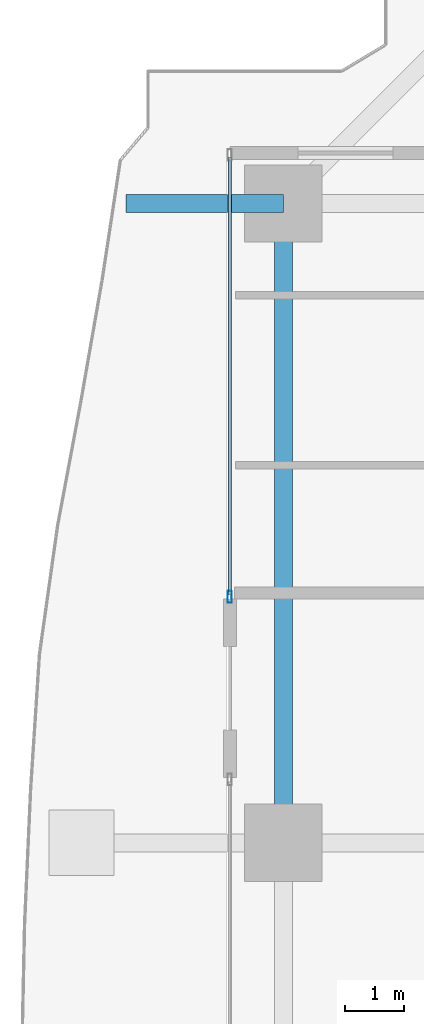
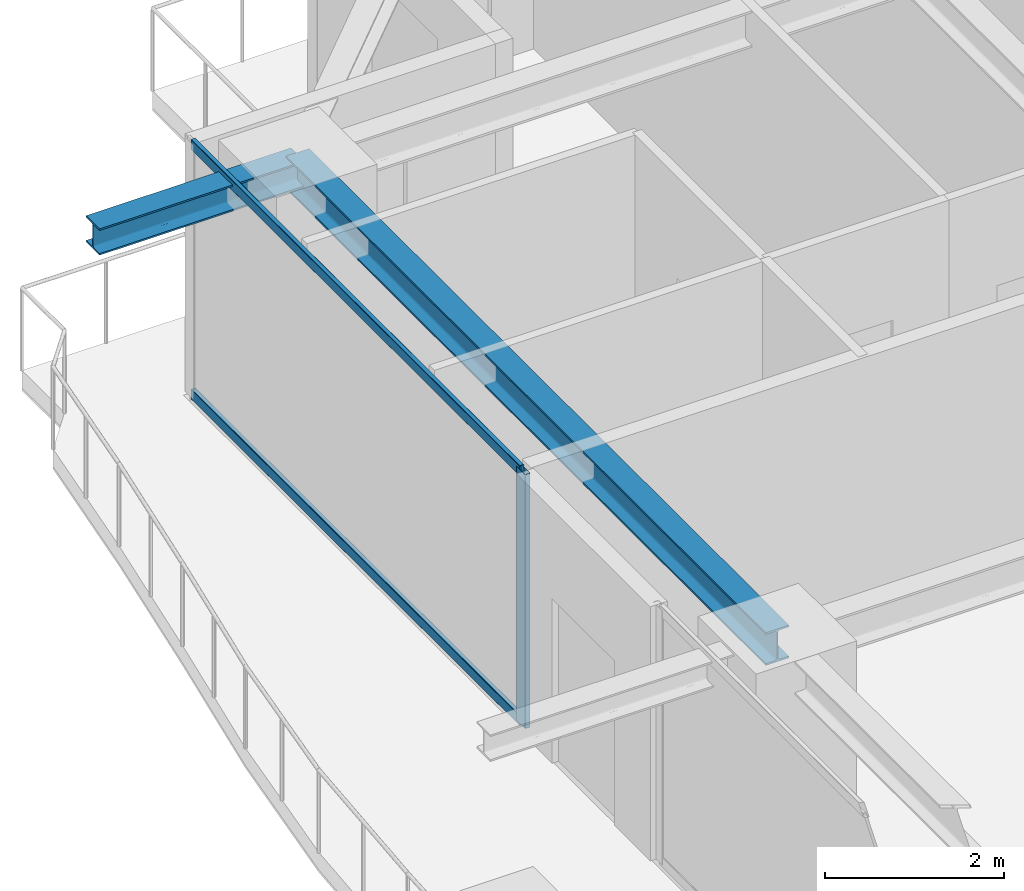
# One storey, part 17 of 37: 3 members, 2 beams, 1 element without a shape of its own.
"""IFC4 building model written with IfcOpenShell, lengths in metres."""

import ifcopenshell
import ifcopenshell.guid

model = None  # the IFC model being written
_history = None  # IfcOwnerHistory: only IFC2X3 demands one
_inside = {}  # id of a spatial element -> (the spatial element, [elements in it])
_under = {}  # id of a project, library or spatial element -> (it, [spatial elements below it])
_declared = {}  # id of a project -> (the project, [libraries it declares])
_typed = {}  # id of a type object -> (the type object, [elements of that type])
_made_of = {}  # id of a material, layer set ... -> (it, [elements and type objects made of it])


def new_model(schema):
    """Start an empty IFC model of exactly this schema.

    Asked for "IFC4X3", IfcOpenShell would pick the latest addendum, in which some entities
    have other attributes; the version numbers below select the first issue.
    IFC2X3 requires an IfcOwnerHistory on every rooted entity: one is made here for all.
    """
    global model, _history
    if schema == "IFC4X3":
        model = ifcopenshell.file(schema_version=(4, 3, 0, 0))
    else:
        model = ifcopenshell.file(schema=schema)
    _inside.clear()
    _under.clear()
    _declared.clear()
    _typed.clear()
    _made_of.clear()
    _history = None
    if model.schema == "IFC2X3":
        org = make("IfcOrganization", Name="unknown")
        user = make(
            "IfcPersonAndOrganization",
            ThePerson=make("IfcPerson", FamilyName="unknown"),
            TheOrganization=org,
        )
        app = make(
            "IfcApplication",
            ApplicationDeveloper=org,
            Version="unknown",
            ApplicationFullName="unknown",
            ApplicationIdentifier="unknown",
        )
        _history = make(
            "IfcOwnerHistory",
            OwningUser=user,
            OwningApplication=app,
            ChangeAction="ADDED",
            CreationDate=0,
        )
    return model


def make(cls, **values):
    """One entity of the class cls with the attributes given. An attribute that is None is left unset."""
    return model.create_entity(
        cls, **{name: value for name, value in values.items() if value is not None}
    )


def rooted(cls, **values):
    """An entity with a GlobalId (a new one), such as an element, a storey or a relation."""
    return make(cls, GlobalId=ifcopenshell.guid.new(), OwnerHistory=_history, **values)


def si_unit(unit_type, name, prefix=None):
    """IfcSIUnit, for example si_unit("LENGTHUNIT", "METRE", prefix="MILLI")."""
    return make("IfcSIUnit", UnitType=unit_type, Prefix=prefix, Name=name)


def assignment(units):
    """IfcUnitAssignment: the units of a project."""
    return None if units is None else make("IfcUnitAssignment", Units=units)


def point(xyz):
    """IfcCartesianPoint."""
    return None if xyz is None else make("IfcCartesianPoint", Coordinates=xyz)


def direction(xyz):
    """IfcDirection."""
    return None if xyz is None else make("IfcDirection", DirectionRatios=xyz)


def frame(location, z_axis=None, x_axis=None):
    """IfcAxis2Placement3D, a coordinate frame: its origin and axes. An axis left out is left unset."""
    return make(
        "IfcAxis2Placement3D",
        Location=point(location),
        Axis=direction(z_axis),
        RefDirection=direction(x_axis),
    )


def frame_2d(location, x_axis=None):
    """IfcAxis2Placement2D, a coordinate frame in the plane: its origin and x axis."""
    return make(
        "IfcAxis2Placement2D", Location=point(location), RefDirection=direction(x_axis)
    )


def origin():
    """The frame at (0, 0, 0) with its axes left unset."""
    return frame((0.0, 0.0, 0.0))


def origin_2d():
    """The frame at (0, 0) in the plane with its x axis left unset."""
    return frame_2d((0.0, 0.0))


def place(relative_to, where):
    """IfcLocalPlacement: puts the frame where relative to a parent placement (None: the world)."""
    return make(
        "IfcLocalPlacement", PlacementRelTo=relative_to, RelativePlacement=where
    )


def context(
    kind, dimensions, precision=None, world=None, true_north=None, identifier=None
):
    """IfcGeometricRepresentationContext, for example the 3D "Model" context."""
    return make(
        "IfcGeometricRepresentationContext",
        ContextIdentifier=identifier,
        ContextType=kind,
        CoordinateSpaceDimension=dimensions,
        Precision=precision,
        WorldCoordinateSystem=world,
        TrueNorth=true_north,
    )


def subcontext(parent, identifier, kind, view, scale=None):
    """IfcGeometricRepresentationSubContext, for example "Body" below "Model"."""
    return make(
        "IfcGeometricRepresentationSubContext",
        ContextIdentifier=identifier,
        ContextType=kind,
        ParentContext=parent,
        TargetScale=scale,
        TargetView=view,
    )


def project(units=None, contexts=None):
    """IfcProject with its units and contexts."""
    return rooted(
        "IfcProject",
        Name="project",
        RepresentationContexts=contexts,
        UnitsInContext=assignment(units),
    )


def spatial(cls, under=None, at=None, **own):
    """A site, building, storey or space (cls), placed at a placement, below another one or the project."""
    s = rooted(cls, ObjectPlacement=at, **own)
    if under is not None:
        _under.setdefault(under.id(), (under, []))[1].append(s)
    return s


def profile(cls, at=None, kind="AREA", **sizes):
    """A parametric profile (cls). Its sizes go by their IFC names, for example OverallWidth=200.0."""
    return make(cls, ProfileType=kind, Position=at, **sizes)


def hollow_rectangle(**sizes):
    """IfcRectangleHollowProfileDef."""
    return profile("IfcRectangleHollowProfileDef", **sizes)


def i_section(**sizes):
    """IfcIShapeProfileDef."""
    return profile("IfcIShapeProfileDef", **sizes)


def extrude(swept, where, along, depth):
    """IfcExtrudedAreaSolid: the profile swept, set in the frame where, extruded along a direction by depth."""
    return make(
        "IfcExtrudedAreaSolid",
        SweptArea=swept,
        Position=where,
        ExtrudedDirection=direction(along),
        Depth=depth,
    )


def shape(context_of_items, identifier, shape_type, items):
    """IfcShapeRepresentation: the items that make up one representation, for example the "Body"."""
    return make(
        "IfcShapeRepresentation",
        ContextOfItems=context_of_items,
        RepresentationIdentifier=identifier,
        RepresentationType=shape_type,
        Items=items,
    )


def source(mapping_origin, context_of_items, identifier, shape_type, items):
    """IfcRepresentationMap: a shape defined once, which mapped items show again and again."""
    return make(
        "IfcRepresentationMap",
        MappingOrigin=mapping_origin,
        MappedRepresentation=shape(context_of_items, identifier, shape_type, items),
    )


def transform(
    local_origin,
    x_axis=None,
    y_axis=None,
    z_axis=None,
    scale=None,
    scale2=None,
    scale3=None,
    uniform=True,
):
    """IfcCartesianTransformationOperator3D, or its non-uniform kind. x_axis, y_axis, z_axis: its Axis1, 2, 3."""
    if uniform:
        return make(
            "IfcCartesianTransformationOperator3D",
            Axis1=direction(x_axis),
            Axis2=direction(y_axis),
            LocalOrigin=point(local_origin),
            Scale=scale,
            Axis3=direction(z_axis),
        )
    return make(
        "IfcCartesianTransformationOperator3DnonUniform",
        Axis1=direction(x_axis),
        Axis2=direction(y_axis),
        LocalOrigin=point(local_origin),
        Scale=scale,
        Axis3=direction(z_axis),
        Scale2=scale2,
        Scale3=scale3,
    )


def mapped(mapping_source, mapping_target):
    """IfcMappedItem: shows the shape of a source again, moved by a transform."""
    return make(
        "IfcMappedItem", MappingSource=mapping_source, MappingTarget=mapping_target
    )


def material(Name=None, Category=None):
    """IfcMaterial."""
    return make("IfcMaterial", Name=Name, Category=Category)


def layer(
    of_material, thickness, ventilated=None, Name=None, Category=None, Priority=None
):
    """IfcMaterialLayer: one layer of a wall or slab, of a material (None: an air gap)."""
    return make(
        "IfcMaterialLayer",
        Material=of_material,
        LayerThickness=thickness,
        IsVentilated=ventilated,
        Name=Name,
        Category=Category,
        Priority=Priority,
    )


def layer_set(layers, Name=None):
    """IfcMaterialLayerSet."""
    return make("IfcMaterialLayerSet", MaterialLayers=layers, LayerSetName=Name)


def material_profile(
    of_material, cross_section, Name=None, Category=None, Priority=None
):
    """IfcMaterialProfile: a cross section and its material."""
    return make(
        "IfcMaterialProfile",
        Name=Name,
        Material=of_material,
        Profile=cross_section,
        Priority=Priority,
        Category=Category,
    )


def profile_set(profiles, Name=None, composite=None):
    """IfcMaterialProfileSet."""
    return make(
        "IfcMaterialProfileSet",
        Name=Name,
        MaterialProfiles=profiles,
        CompositeProfile=composite,
    )


def made_of(thing, what):
    """Note that an element or type object is made of a material, layer set ...; save() writes the relation."""
    if what is not None:
        _made_of.setdefault(what.id(), (what, []))[1].append(thing)
    return thing


def type_object(cls, material=None, **own):
    """A type object (cls), such as IfcWallType, which elements share."""
    return made_of(rooted(cls, **own), material)


def element(
    cls,
    number,
    at=None,
    inside=None,
    cuts=None,
    type_object=None,
    material=None,
    context=None,
    identifier="Body",
    shape_type=None,
    held_by="IfcProductDefinitionShape",
    body=None,
    shapes=None,
    **own,
):
    """One element of the class cls, such as IfcWall. Its Tag is "e" and its number.

    at: its placement. inside: the storey or other place that contains it. cuts: it is an
    opening in that element (IfcRelVoidsElement). A single representation is given by context,
    identifier, shape_type and body (its items); several are given by shapes. held_by: the class
    of the entity that holds the representations. save() writes the other relations.
    """
    e = rooted(cls, Tag="e%d" % number, ObjectPlacement=at, **own)
    if body is not None:
        shapes = [shape(context, identifier, shape_type, body)]
    if shapes is not None:
        e.Representation = make(held_by, Representations=shapes)
    if inside is not None:
        _inside.setdefault(inside.id(), (inside, []))[1].append(e)
    if cuts is not None:
        rooted(
            "IfcRelVoidsElement", RelatingBuildingElement=cuts, RelatedOpeningElement=e
        )
    if type_object is not None:
        _typed.setdefault(type_object.id(), (type_object, []))[1].append(e)
    return made_of(e, material)


def aggregate(whole, parts):
    """IfcRelAggregates: a whole, such as a stair, and the parts it consists of."""
    return rooted("IfcRelAggregates", RelatingObject=whole, RelatedObjects=parts)


def save(model, path):
    """Write the relations noted so far, then the file.

    IfcRelAggregates (storeys below a building ...), IfcRelContainedInSpatialStructure (elements
    in a storey), IfcRelDefinesByType, IfcRelAssociatesMaterial and IfcRelDeclares: one each for
    every whole, place, type object, material and project.
    """
    for whole, parts in _under.values():
        aggregate(whole, parts)
    for where, things in _inside.values():
        rooted(
            "IfcRelContainedInSpatialStructure",
            RelatedElements=things,
            RelatingStructure=where,
        )
    for kind, things in _typed.values():
        rooted("IfcRelDefinesByType", RelatedObjects=things, RelatingType=kind)
    for what, things in _made_of.values():
        rooted("IfcRelAssociatesMaterial", RelatedObjects=things, RelatingMaterial=what)
    for by, libraries in _declared.values():
        rooted("IfcRelDeclares", RelatingContext=by, RelatedDefinitions=libraries)
    model.write(path)


model = new_model("IFC4")

# Units and contexts
model_context = context("Model", 3, precision=1e-05, world=origin(), true_north=direction((0.0, 1.0)))
body_context = subcontext(model_context, "Body", "Model", "MODEL_VIEW")
ifc_project = project(units=[si_unit("LENGTHUNIT", "METRE"), si_unit("AREAUNIT", "SQUARE_METRE"), si_unit("VOLUMEUNIT", "CUBIC_METRE"), si_unit("PLANEANGLEUNIT", "RADIAN"), si_unit("MASSUNIT", "GRAM", prefix="KILO")], contexts=[model_context])

# Site, building, storey
site_placement = place(None, origin())
site = spatial("IfcSite", under=ifc_project, at=site_placement, CompositionType="ELEMENT")
building_placement = place(site_placement, origin())
building = spatial("IfcBuilding", under=site, at=building_placement, Name="Serunith Strait Residences", CompositionType="ELEMENT")
storey_placement = place(building_placement, frame((0.0, 0.0, 153.89990234375)))
storey = spatial("IfcBuildingStorey", under=building, at=storey_placement, Name="L38", CompositionType="ELEMENT", Elevation=153.89990234375)

# Beams
ifc_material_1 = material(Name="Steel S355J2", Category="steel")
ifc_material_profile_1 = material_profile(ifc_material_1, i_section(OverallWidth=0.300048828125, OverallDepth=0.449951171875, WebThickness=0.013916015625, FlangeThickness=0.02587890625, FilletRadius=0.027099609375, at=origin_2d()), Name="HEB 450")
ifc_profile_set_1 = profile_set([ifc_material_profile_1], Name="Steel S355J2")
beam_type_1 = type_object("IfcBeamType", Name="BM-HEB450", PredefinedType="BEAM", material=ifc_profile_set_1)
shared_shape_1 = source(origin(), body_context, "Body", "SweptSolid", [
    extrude(i_section(OverallWidth=0.300048828125, OverallDepth=0.449951171875, WebThickness=0.013916015625, FlangeThickness=0.02587890625, FilletRadius=0.027099609375, at=origin_2d()), origin(), (0.0, 0.0, 1.0), 10.75),
])
beam_1_placement = place(storey_placement, frame((8.699951171875, 40.14990234375, 3.26220703125), z_axis=(0.0, -1.0, 0.0), x_axis=(1.0, 0.0, 0.0)))
element("IfcBeam", 1, at=beam_1_placement, inside=storey, type_object=beam_type_1, Name="L38 Perimeter Ring Beam 13", PredefinedType="BEAM", context=body_context, shape_type="MappedRepresentation", body=[
    mapped(shared_shape_1, transform((0.0, 0.0, 0.0), scale=1.0)),
])
ifc_material_profile_2 = material_profile(ifc_material_1, i_section(OverallWidth=0.300048828125, OverallDepth=0.360107421875, WebThickness=0.012451171875, FlangeThickness=0.0224609375, FilletRadius=0.027099609375, at=origin_2d()), Name="HEB 360")
ifc_profile_set_2 = profile_set([ifc_material_profile_2], Name="Steel S355J2")
beam_type_2 = type_object("IfcBeamType", Name="BM-HEB360", PredefinedType="BEAM", material=ifc_profile_set_2)
shared_shape_2 = source(origin(), body_context, "Body", "SweptSolid", [
    extrude(i_section(OverallWidth=0.300048828125, OverallDepth=0.360107421875, WebThickness=0.012451171875, FlangeThickness=0.0224609375, FilletRadius=0.027099609375, at=origin_2d()), origin(), (0.0, 0.0, 1.0), 2.649169921875),
])
beam_2_placement = place(storey_placement, frame((8.699951171875, 40.14990234375, 3.277099609375), z_axis=(-1.0, 0.0, 0.0), x_axis=(0.0, -1.0, 0.0)))
element("IfcBeam", 2, at=beam_2_placement, inside=storey, type_object=beam_type_2, Name="L39 Cantilevered Balcony Rib TC-W4", PredefinedType="BEAM", context=body_context, shape_type="MappedRepresentation", body=[
    mapped(shared_shape_2, transform((0.0, 0.0, 0.0), scale=1.0)),
])

# Curtain wall, members
ifc_material_2 = material(Name="Pale-Champagne Anodised Aluminium", Category="aluminium")
ifc_layer = layer(ifc_material_2, 0.199951171875, Name="Pale-Champagne Anodised Aluminium")
ifc_layer_set = layer_set([ifc_layer], Name="Pale-Champagne Anodised Aluminium")
curtain_wall_type = type_object("IfcCurtainWallType", Name="CW-SYS2", PredefinedType="NOTDEFINED", material=ifc_layer_set)
curtain_wall_placement = place(storey_placement, origin())
curtain_wall = element("IfcCurtainWall", 3, at=curtain_wall_placement, inside=storey, type_object=curtain_wall_type, Name="L38 W Unitised Fritted Curtain Wall", PredefinedType="NOTDEFINED")
ifc_material_profile_3 = material_profile(ifc_material_2, hollow_rectangle(XDim=0.070068359375, YDim=0.199951171875, WallThickness=0.00390625, InnerFilletRadius=0.006103515625, OuterFilletRadius=0.010009765625, at=origin_2d()), Name="ALU 200x70x4")
ifc_profile_set_3 = profile_set([ifc_material_profile_3], Name="Pale-Champagne Anodised Aluminium")
member_type_1 = type_object("IfcMemberType", Name="CW-SYS2-MULL", PredefinedType="MULLION", material=ifc_profile_set_3)
shared_shape_3 = source(origin(), body_context, "Body", "SweptSolid", [
    extrude(hollow_rectangle(XDim=0.070068359375, YDim=0.199951171875, WallThickness=0.00390625, InnerFilletRadius=0.006103515625, OuterFilletRadius=0.010009765625, at=origin_2d()), origin(), (0.0, 0.0, 1.0), 3.47509765625),
])
member_1_placement = place(storey_placement, frame((7.800048828125, 33.534912109375, 0.0), z_axis=(0.0, 0.0, 1.0), x_axis=(1.0, 0.0, 0.0)))
member_1 = element("IfcMember", 4, at=member_1_placement, type_object=member_type_1, Name="CW-2 mullion 2", PredefinedType="MULLION", context=body_context, shape_type="MappedRepresentation", body=[
    mapped(shared_shape_3, transform((0.0, 0.0, 0.0), scale=1.0)),
])
ifc_material_profile_4 = material_profile(ifc_material_2, hollow_rectangle(XDim=0.06005859375, YDim=0.139892578125, WallThickness=0.00341796875, InnerFilletRadius=0.00537109375, OuterFilletRadius=0.0087890625, at=origin_2d()), Name="ALU 140x60x3.5")
ifc_profile_set_4 = profile_set([ifc_material_profile_4], Name="Pale-Champagne Anodised Aluminium")
member_type_2 = type_object("IfcMemberType", Name="CW-SYS2-TRAN", PredefinedType="USERDEFINED", material=ifc_profile_set_4)
shared_shape_4 = source(origin(), body_context, "Body", "SweptSolid", [
    extrude(hollow_rectangle(XDim=0.06005859375, YDim=0.139892578125, WallThickness=0.00341796875, InnerFilletRadius=0.00537109375, OuterFilletRadius=0.0087890625, at=origin_2d()), origin(), (0.0, 0.0, 1.0), 7.35986328125),
])
member_2_placement = place(storey_placement, frame((7.800048828125, 40.929931640625, 0.030029296875), z_axis=(0.0, -1.0, 0.0), x_axis=(1.0, 0.0, 0.0)))
member_2 = element("IfcMember", 5, at=member_2_placement, type_object=member_type_2, Name="CW-2 transom 1.1", ObjectType="TRANSOM", PredefinedType="USERDEFINED", context=body_context, shape_type="MappedRepresentation", body=[
    mapped(shared_shape_4, transform((0.0, 0.0, 0.0), scale=1.0)),
])
member_3_placement = place(storey_placement, frame((7.800048828125, 40.929931640625, 3.445068359375), z_axis=(0.0, -1.0, 0.0), x_axis=(1.0, 0.0, 0.0)))
member_3 = element("IfcMember", 6, at=member_3_placement, type_object=member_type_2, Name="CW-2 transom 1.2", ObjectType="TRANSOM", PredefinedType="USERDEFINED", context=body_context, shape_type="MappedRepresentation", body=[
    mapped(shared_shape_4, transform((0.0, 0.0, 0.0), scale=1.0)),
])
aggregate(curtain_wall, [member_1, member_2, member_3])

save(model, "model.ifc")
